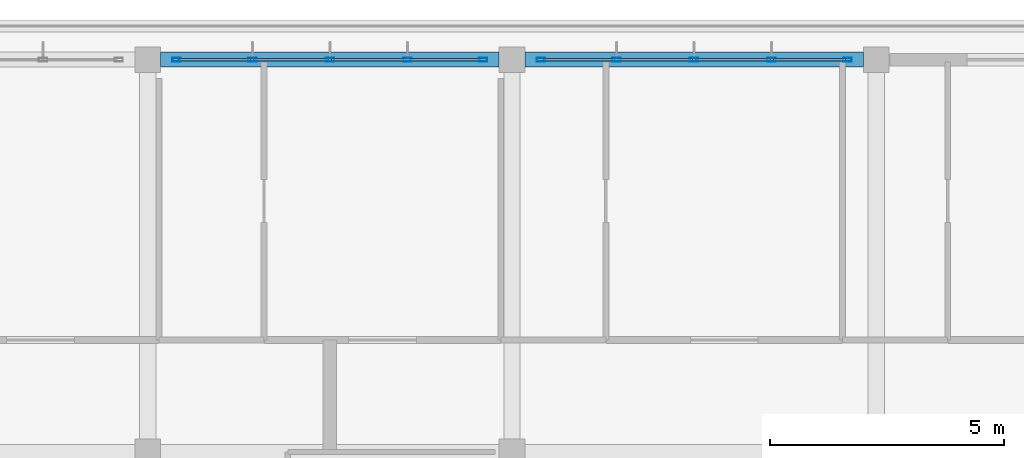
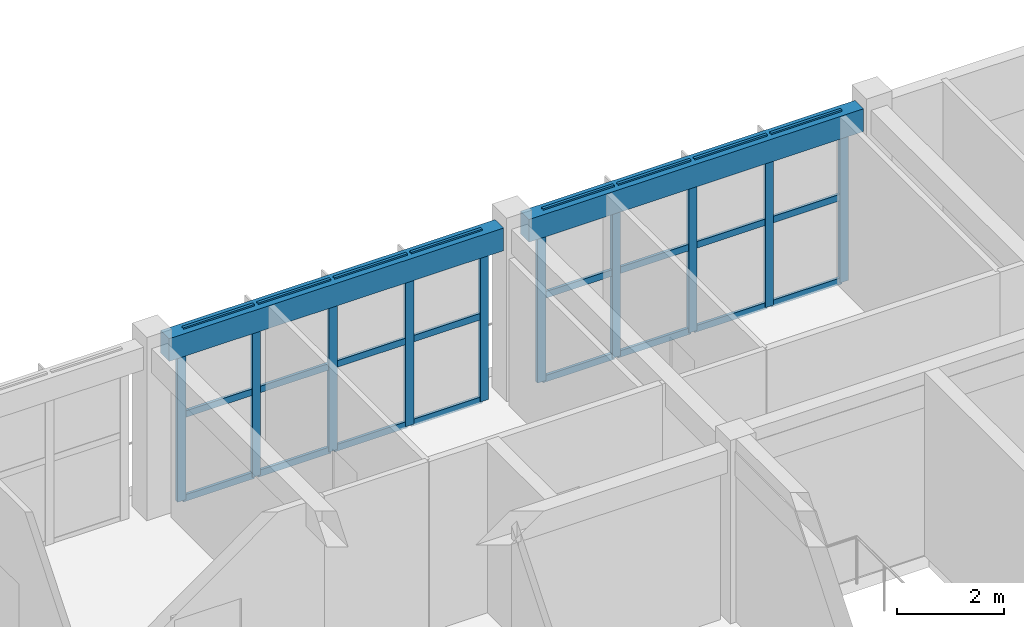
# One storey, part 17 of 33: 34 members, 2 beams, 2 elements without a shape of their own.
"""IFC4 building model written with IfcOpenShell, lengths in metres."""

from ifc_helpers import new_model, si_unit, direction, frame, origin, origin_2d, place, context, subcontext, project, spatial, rectangle, hollow_rectangle, extrude, material, layer, layer_set, material_profile, profile_set, type_object, element, aggregate, save


model = new_model("IFC4")

# Units and contexts
model_context = context("Model", 3, precision=1e-05, world=origin(), true_north=direction((0.0, 1.0)))
body_context = subcontext(model_context, "Body", "Model", "MODEL_VIEW")
ifc_project = project(units=[si_unit("LENGTHUNIT", "METRE"), si_unit("AREAUNIT", "SQUARE_METRE"), si_unit("VOLUMEUNIT", "CUBIC_METRE"), si_unit("PLANEANGLEUNIT", "RADIAN"), si_unit("MASSUNIT", "GRAM", prefix="KILO")], contexts=[model_context])

# Site, building, storey
site_placement = place(None, origin())
site = spatial("IfcSite", under=ifc_project, at=site_placement, CompositionType="ELEMENT")
building_placement = place(site_placement, origin())
building = spatial("IfcBuilding", under=site, at=building_placement, Name="Zizhar Promenade General Hospital", CompositionType="ELEMENT")
storey_placement = place(building_placement, frame((0.0, 0.0, 39.0)))
storey = spatial("IfcBuildingStorey", under=building, at=storey_placement, Name="L09", CompositionType="ELEMENT", Elevation=39.0)

# Beams
ifc_material_1 = material(Name="Concrete C35/45", Category="concrete")
ifc_material_profile_1 = material_profile(ifc_material_1, rectangle(XDim=0.320068359375, YDim=0.52001953125, at=origin_2d()))
ifc_profile_set_1 = profile_set([ifc_material_profile_1], Name="Concrete C35/45")
beam_type = type_object("IfcBeamType", Name="BM-RC-320x520", PredefinedType="LINTEL", material=ifc_profile_set_1)
for number, where, z_axis, x_axis, name in (
    (1, (70.47509765625, 25.199951171875, 3.64990234375), (1.0, 0.0, 0.0), (0.0, 1.0, 0.0), "Grid Beam X L09 (9-3)"),
    (2, (78.27490234375, 25.199951171875, 3.64990234375), (1.0, 0.0, 0.0), (0.0, 1.0, 0.0), "Grid Beam X L09 (10-3)"),
):
    element("IfcBeam", number, at=place(storey_placement, frame(where, z_axis=z_axis, x_axis=x_axis)), inside=storey, type_object=beam_type, Name=name, PredefinedType="LINTEL", context=body_context, shape_type="SweptSolid", body=[
        extrude(rectangle(XDim=0.320068359375, YDim=0.52001953125, at=origin_2d()), origin(), (0.0, 0.0, 1.0), 7.25),
    ])

# Curtain wall, members
ifc_material_2 = material(Name="Anodised aluminium 6063-T6 and low-E glass", Category="aluminium")
ifc_layer = layer(ifc_material_2, 0.159912109375)
ifc_layer_set = layer_set([ifc_layer], Name="Anodised aluminium 6063-T6 and low-E glass")
curtain_wall_type = type_object("IfcCurtainWallType", Name="CW-WARD-RIB", PredefinedType="NOTDEFINED", material=ifc_layer_set)
curtain_wall_1_placement = place(storey_placement, origin())
curtain_wall_1 = element("IfcCurtainWall", 3, at=curtain_wall_1_placement, inside=storey, type_object=curtain_wall_type, Name="Ward Ribbon Curtain Wall L09-8-2", PredefinedType="NOTDEFINED")
ifc_material_3 = material(Name="Anodised aluminium 6063-T6", Category="aluminium")
ifc_material_profile_2 = material_profile(ifc_material_3, hollow_rectangle(XDim=0.080078125, YDim=0.179931640625, WallThickness=0.0048828125, at=origin_2d()))
ifc_profile_set_2 = profile_set([ifc_material_profile_2], Name="Anodised aluminium 6063-T6")
member_type_1 = type_object("IfcMemberType", Name="CWM-ALU-180x80", PredefinedType="MULLION", material=ifc_profile_set_2)
member_1_placement = place(storey_placement, frame((70.820068359375, 25.199951171875, 0.0), z_axis=(0.0, 0.0, 1.0), x_axis=(0.0, 1.0, 0.0)))
member_1 = element("IfcMember", 4, at=member_1_placement, type_object=member_type_1, Name="CW-13 mullion 1", PredefinedType="MULLION", context=body_context, shape_type="SweptSolid", body=[
    extrude(hollow_rectangle(XDim=0.080078125, YDim=0.179931640625, WallThickness=0.0048828125, at=origin_2d()), origin(), (0.0, 0.0, 1.0), 3.89990234375),
])
member_2_placement = place(storey_placement, frame((72.43994140625, 25.199951171875, 0.0), z_axis=(0.0, 0.0, 1.0), x_axis=(0.0, 1.0, 0.0)))
member_2 = element("IfcMember", 5, at=member_2_placement, type_object=member_type_1, Name="CW-13 mullion 2", PredefinedType="MULLION", context=body_context, shape_type="SweptSolid", body=[
    extrude(hollow_rectangle(XDim=0.080078125, YDim=0.179931640625, WallThickness=0.0048828125, at=origin_2d()), origin(), (0.0, 0.0, 1.0), 3.89990234375),
])
member_3_placement = place(storey_placement, frame((74.10009765625, 25.199951171875, 0.0), z_axis=(0.0, 0.0, 1.0), x_axis=(0.0, 1.0, 0.0)))
member_3 = element("IfcMember", 6, at=member_3_placement, type_object=member_type_1, Name="CW-13 mullion 3", PredefinedType="MULLION", context=body_context, shape_type="SweptSolid", body=[
    extrude(hollow_rectangle(XDim=0.080078125, YDim=0.179931640625, WallThickness=0.0048828125, at=origin_2d()), origin(), (0.0, 0.0, 1.0), 3.89990234375),
])
member_4_placement = place(storey_placement, frame((75.760009765625, 25.199951171875, 0.0), z_axis=(0.0, 0.0, 1.0), x_axis=(0.0, 1.0, 0.0)))
member_4 = element("IfcMember", 7, at=member_4_placement, type_object=member_type_1, Name="CW-13 mullion 4", PredefinedType="MULLION", context=body_context, shape_type="SweptSolid", body=[
    extrude(hollow_rectangle(XDim=0.080078125, YDim=0.179931640625, WallThickness=0.0048828125, at=origin_2d()), origin(), (0.0, 0.0, 1.0), 3.89990234375),
])
member_5_placement = place(storey_placement, frame((77.3798828125, 25.199951171875, 0.0), z_axis=(0.0, 0.0, 1.0), x_axis=(0.0, 1.0, 0.0)))
member_5 = element("IfcMember", 8, at=member_5_placement, type_object=member_type_1, Name="CW-13 mullion 5", PredefinedType="MULLION", context=body_context, shape_type="SweptSolid", body=[
    extrude(hollow_rectangle(XDim=0.080078125, YDim=0.179931640625, WallThickness=0.0048828125, at=origin_2d()), origin(), (0.0, 0.0, 1.0), 3.89990234375),
])

curtain_wall_2_placement = place(storey_placement, origin())
curtain_wall_2 = element("IfcCurtainWall", 9, at=curtain_wall_2_placement, inside=storey, type_object=curtain_wall_type, Name="Ward Ribbon Curtain Wall L09-8-3", PredefinedType="NOTDEFINED")
member_6_placement = place(storey_placement, frame((78.6201171875, 25.199951171875, 0.0), z_axis=(0.0, 0.0, 1.0), x_axis=(0.0, 1.0, 0.0)))
member_6 = element("IfcMember", 10, at=member_6_placement, type_object=member_type_1, Name="CW-13 mullion 1", PredefinedType="MULLION", context=body_context, shape_type="SweptSolid", body=[
    extrude(hollow_rectangle(XDim=0.080078125, YDim=0.179931640625, WallThickness=0.0048828125, at=origin_2d()), origin(), (0.0, 0.0, 1.0), 3.89990234375),
])
member_7_placement = place(storey_placement, frame((80.239990234375, 25.199951171875, 0.0), z_axis=(0.0, 0.0, 1.0), x_axis=(0.0, 1.0, 0.0)))
member_7 = element("IfcMember", 11, at=member_7_placement, type_object=member_type_1, Name="CW-13 mullion 2", PredefinedType="MULLION", context=body_context, shape_type="SweptSolid", body=[
    extrude(hollow_rectangle(XDim=0.080078125, YDim=0.179931640625, WallThickness=0.0048828125, at=origin_2d()), origin(), (0.0, 0.0, 1.0), 3.89990234375),
])
member_8_placement = place(storey_placement, frame((81.89990234375, 25.199951171875, 0.0), z_axis=(0.0, 0.0, 1.0), x_axis=(0.0, 1.0, 0.0)))
member_8 = element("IfcMember", 12, at=member_8_placement, type_object=member_type_1, Name="CW-13 mullion 3", PredefinedType="MULLION", context=body_context, shape_type="SweptSolid", body=[
    extrude(hollow_rectangle(XDim=0.080078125, YDim=0.179931640625, WallThickness=0.0048828125, at=origin_2d()), origin(), (0.0, 0.0, 1.0), 3.89990234375),
])
member_9_placement = place(storey_placement, frame((83.56005859375, 25.199951171875, 0.0), z_axis=(0.0, 0.0, 1.0), x_axis=(0.0, 1.0, 0.0)))
member_9 = element("IfcMember", 13, at=member_9_placement, type_object=member_type_1, Name="CW-13 mullion 4", PredefinedType="MULLION", context=body_context, shape_type="SweptSolid", body=[
    extrude(hollow_rectangle(XDim=0.080078125, YDim=0.179931640625, WallThickness=0.0048828125, at=origin_2d()), origin(), (0.0, 0.0, 1.0), 3.89990234375),
])
member_10_placement = place(storey_placement, frame((85.179931640625, 25.199951171875, 0.0), z_axis=(0.0, 0.0, 1.0), x_axis=(0.0, 1.0, 0.0)))
member_10 = element("IfcMember", 14, at=member_10_placement, type_object=member_type_1, Name="CW-13 mullion 5", PredefinedType="MULLION", context=body_context, shape_type="SweptSolid", body=[
    extrude(hollow_rectangle(XDim=0.080078125, YDim=0.179931640625, WallThickness=0.0048828125, at=origin_2d()), origin(), (0.0, 0.0, 1.0), 3.89990234375),
])

# Member
ifc_material_4 = material(Name="Anodised aluminium 6063-T6", Category="aluminium")
ifc_material_profile_3 = material_profile(ifc_material_4, hollow_rectangle(XDim=0.06005859375, YDim=0.14990234375, WallThickness=0.00390625, at=origin_2d()))
ifc_profile_set_3 = profile_set([ifc_material_profile_3], Name="Anodised aluminium 6063-T6")
member_type_2 = type_object("IfcMemberType", Name="CWT-ALU-150x60", PredefinedType="USERDEFINED", material=ifc_profile_set_3)
member_11_placement = place(storey_placement, frame((70.860107421875, 25.199951171875, 0.030029296875), z_axis=(1.0, 0.0, 0.0), x_axis=(0.0, 1.0, 0.0)))
member_11 = element("IfcMember", 15, at=member_11_placement, type_object=member_type_2, Name="CW-13 transom 1.1", ObjectType="TRANSOM", PredefinedType="USERDEFINED", context=body_context, shape_type="SweptSolid", body=[
    extrude(hollow_rectangle(XDim=0.06005859375, YDim=0.14990234375, WallThickness=0.00390625, at=origin_2d()), origin(), (0.0, 0.0, 1.0), 1.539794921875),
])

member_12_placement = place(storey_placement, frame((70.860107421875, 25.199951171875, 1.949951171875), z_axis=(1.0, 0.0, 0.0), x_axis=(0.0, 1.0, 0.0)))
member_12 = element("IfcMember", 16, at=member_12_placement, type_object=member_type_2, Name="CW-13 transom 1.2", ObjectType="TRANSOM", PredefinedType="USERDEFINED", context=body_context, shape_type="SweptSolid", body=[
    extrude(hollow_rectangle(XDim=0.06005859375, YDim=0.14990234375, WallThickness=0.00390625, at=origin_2d()), origin(), (0.0, 0.0, 1.0), 1.539794921875),
])

member_13_placement = place(storey_placement, frame((70.860107421875, 25.199951171875, 3.8701171875), z_axis=(1.0, 0.0, 0.0), x_axis=(0.0, 1.0, 0.0)))
member_13 = element("IfcMember", 17, at=member_13_placement, type_object=member_type_2, Name="CW-13 transom 1.3", ObjectType="TRANSOM", PredefinedType="USERDEFINED", context=body_context, shape_type="SweptSolid", body=[
    extrude(hollow_rectangle(XDim=0.06005859375, YDim=0.14990234375, WallThickness=0.00390625, at=origin_2d()), origin(), (0.0, 0.0, 1.0), 1.539794921875),
])

member_14_placement = place(storey_placement, frame((72.47998046875, 25.199951171875, 0.030029296875), z_axis=(1.0, 0.0, 0.0), x_axis=(0.0, 1.0, 0.0)))
member_14 = element("IfcMember", 18, at=member_14_placement, type_object=member_type_2, Name="CW-13 transom 2.1", ObjectType="TRANSOM", PredefinedType="USERDEFINED", context=body_context, shape_type="SweptSolid", body=[
    extrude(hollow_rectangle(XDim=0.06005859375, YDim=0.14990234375, WallThickness=0.00390625, at=origin_2d()), origin(), (0.0, 0.0, 1.0), 1.580078125),
])

member_15_placement = place(storey_placement, frame((72.47998046875, 25.199951171875, 1.949951171875), z_axis=(1.0, 0.0, 0.0), x_axis=(0.0, 1.0, 0.0)))
member_15 = element("IfcMember", 19, at=member_15_placement, type_object=member_type_2, Name="CW-13 transom 2.2", ObjectType="TRANSOM", PredefinedType="USERDEFINED", context=body_context, shape_type="SweptSolid", body=[
    extrude(hollow_rectangle(XDim=0.06005859375, YDim=0.14990234375, WallThickness=0.00390625, at=origin_2d()), origin(), (0.0, 0.0, 1.0), 1.580078125),
])

member_16_placement = place(storey_placement, frame((72.47998046875, 25.199951171875, 3.8701171875), z_axis=(1.0, 0.0, 0.0), x_axis=(0.0, 1.0, 0.0)))
member_16 = element("IfcMember", 20, at=member_16_placement, type_object=member_type_2, Name="CW-13 transom 2.3", ObjectType="TRANSOM", PredefinedType="USERDEFINED", context=body_context, shape_type="SweptSolid", body=[
    extrude(hollow_rectangle(XDim=0.06005859375, YDim=0.14990234375, WallThickness=0.00390625, at=origin_2d()), origin(), (0.0, 0.0, 1.0), 1.580078125),
])

member_17_placement = place(storey_placement, frame((74.139892578125, 25.199951171875, 0.030029296875), z_axis=(1.0, 0.0, 0.0), x_axis=(0.0, 1.0, 0.0)))
member_17 = element("IfcMember", 21, at=member_17_placement, type_object=member_type_2, Name="CW-13 transom 3.1", ObjectType="TRANSOM", PredefinedType="USERDEFINED", context=body_context, shape_type="SweptSolid", body=[
    extrude(hollow_rectangle(XDim=0.06005859375, YDim=0.14990234375, WallThickness=0.00390625, at=origin_2d()), origin(), (0.0, 0.0, 1.0), 1.580078125),
])

member_18_placement = place(storey_placement, frame((74.139892578125, 25.199951171875, 1.949951171875), z_axis=(1.0, 0.0, 0.0), x_axis=(0.0, 1.0, 0.0)))
member_18 = element("IfcMember", 22, at=member_18_placement, type_object=member_type_2, Name="CW-13 transom 3.2", ObjectType="TRANSOM", PredefinedType="USERDEFINED", context=body_context, shape_type="SweptSolid", body=[
    extrude(hollow_rectangle(XDim=0.06005859375, YDim=0.14990234375, WallThickness=0.00390625, at=origin_2d()), origin(), (0.0, 0.0, 1.0), 1.580078125),
])

member_19_placement = place(storey_placement, frame((74.139892578125, 25.199951171875, 3.8701171875), z_axis=(1.0, 0.0, 0.0), x_axis=(0.0, 1.0, 0.0)))
member_19 = element("IfcMember", 23, at=member_19_placement, type_object=member_type_2, Name="CW-13 transom 3.3", ObjectType="TRANSOM", PredefinedType="USERDEFINED", context=body_context, shape_type="SweptSolid", body=[
    extrude(hollow_rectangle(XDim=0.06005859375, YDim=0.14990234375, WallThickness=0.00390625, at=origin_2d()), origin(), (0.0, 0.0, 1.0), 1.580078125),
])

member_20_placement = place(storey_placement, frame((75.800048828125, 25.199951171875, 0.030029296875), z_axis=(1.0, 0.0, 0.0), x_axis=(0.0, 1.0, 0.0)))
member_20 = element("IfcMember", 24, at=member_20_placement, type_object=member_type_2, Name="CW-13 transom 4.1", ObjectType="TRANSOM", PredefinedType="USERDEFINED", context=body_context, shape_type="SweptSolid", body=[
    extrude(hollow_rectangle(XDim=0.06005859375, YDim=0.14990234375, WallThickness=0.00390625, at=origin_2d()), origin(), (0.0, 0.0, 1.0), 1.5400390625),
])

member_21_placement = place(storey_placement, frame((75.800048828125, 25.199951171875, 1.949951171875), z_axis=(1.0, 0.0, 0.0), x_axis=(0.0, 1.0, 0.0)))
member_21 = element("IfcMember", 25, at=member_21_placement, type_object=member_type_2, Name="CW-13 transom 4.2", ObjectType="TRANSOM", PredefinedType="USERDEFINED", context=body_context, shape_type="SweptSolid", body=[
    extrude(hollow_rectangle(XDim=0.06005859375, YDim=0.14990234375, WallThickness=0.00390625, at=origin_2d()), origin(), (0.0, 0.0, 1.0), 1.5400390625),
])

member_22_placement = place(storey_placement, frame((75.800048828125, 25.199951171875, 3.8701171875), z_axis=(1.0, 0.0, 0.0), x_axis=(0.0, 1.0, 0.0)))
member_22 = element("IfcMember", 26, at=member_22_placement, type_object=member_type_2, Name="CW-13 transom 4.3", ObjectType="TRANSOM", PredefinedType="USERDEFINED", context=body_context, shape_type="SweptSolid", body=[
    extrude(hollow_rectangle(XDim=0.06005859375, YDim=0.14990234375, WallThickness=0.00390625, at=origin_2d()), origin(), (0.0, 0.0, 1.0), 1.5400390625),
])

aggregate(curtain_wall_1, [member_1, member_2, member_3, member_4, member_5, member_11, member_12, member_13, member_14, member_15, member_16, member_17, member_18, member_19, member_20, member_21, member_22])

member_23_placement = place(storey_placement, frame((78.659912109375, 25.199951171875, 0.030029296875), z_axis=(1.0, 0.0, 0.0), x_axis=(0.0, 1.0, 0.0)))
member_23 = element("IfcMember", 27, at=member_23_placement, type_object=member_type_2, Name="CW-13 transom 1.1", ObjectType="TRANSOM", PredefinedType="USERDEFINED", context=body_context, shape_type="SweptSolid", body=[
    extrude(hollow_rectangle(XDim=0.06005859375, YDim=0.14990234375, WallThickness=0.00390625, at=origin_2d()), origin(), (0.0, 0.0, 1.0), 1.5400390625),
])

member_24_placement = place(storey_placement, frame((78.659912109375, 25.199951171875, 1.949951171875), z_axis=(1.0, 0.0, 0.0), x_axis=(0.0, 1.0, 0.0)))
member_24 = element("IfcMember", 28, at=member_24_placement, type_object=member_type_2, Name="CW-13 transom 1.2", ObjectType="TRANSOM", PredefinedType="USERDEFINED", context=body_context, shape_type="SweptSolid", body=[
    extrude(hollow_rectangle(XDim=0.06005859375, YDim=0.14990234375, WallThickness=0.00390625, at=origin_2d()), origin(), (0.0, 0.0, 1.0), 1.5400390625),
])

member_25_placement = place(storey_placement, frame((78.659912109375, 25.199951171875, 3.8701171875), z_axis=(1.0, 0.0, 0.0), x_axis=(0.0, 1.0, 0.0)))
member_25 = element("IfcMember", 29, at=member_25_placement, type_object=member_type_2, Name="CW-13 transom 1.3", ObjectType="TRANSOM", PredefinedType="USERDEFINED", context=body_context, shape_type="SweptSolid", body=[
    extrude(hollow_rectangle(XDim=0.06005859375, YDim=0.14990234375, WallThickness=0.00390625, at=origin_2d()), origin(), (0.0, 0.0, 1.0), 1.5400390625),
])

member_26_placement = place(storey_placement, frame((80.280029296875, 25.199951171875, 0.030029296875), z_axis=(1.0, 0.0, 0.0), x_axis=(0.0, 1.0, 0.0)))
member_26 = element("IfcMember", 30, at=member_26_placement, type_object=member_type_2, Name="CW-13 transom 2.1", ObjectType="TRANSOM", PredefinedType="USERDEFINED", context=body_context, shape_type="SweptSolid", body=[
    extrude(hollow_rectangle(XDim=0.06005859375, YDim=0.14990234375, WallThickness=0.00390625, at=origin_2d()), origin(), (0.0, 0.0, 1.0), 1.580078125),
])

member_27_placement = place(storey_placement, frame((80.280029296875, 25.199951171875, 1.949951171875), z_axis=(1.0, 0.0, 0.0), x_axis=(0.0, 1.0, 0.0)))
member_27 = element("IfcMember", 31, at=member_27_placement, type_object=member_type_2, Name="CW-13 transom 2.2", ObjectType="TRANSOM", PredefinedType="USERDEFINED", context=body_context, shape_type="SweptSolid", body=[
    extrude(hollow_rectangle(XDim=0.06005859375, YDim=0.14990234375, WallThickness=0.00390625, at=origin_2d()), origin(), (0.0, 0.0, 1.0), 1.580078125),
])

member_28_placement = place(storey_placement, frame((80.280029296875, 25.199951171875, 3.8701171875), z_axis=(1.0, 0.0, 0.0), x_axis=(0.0, 1.0, 0.0)))
member_28 = element("IfcMember", 32, at=member_28_placement, type_object=member_type_2, Name="CW-13 transom 2.3", ObjectType="TRANSOM", PredefinedType="USERDEFINED", context=body_context, shape_type="SweptSolid", body=[
    extrude(hollow_rectangle(XDim=0.06005859375, YDim=0.14990234375, WallThickness=0.00390625, at=origin_2d()), origin(), (0.0, 0.0, 1.0), 1.580078125),
])

member_29_placement = place(storey_placement, frame((81.93994140625, 25.199951171875, 0.030029296875), z_axis=(1.0, 0.0, 0.0), x_axis=(0.0, 1.0, 0.0)))
member_29 = element("IfcMember", 33, at=member_29_placement, type_object=member_type_2, Name="CW-13 transom 3.1", ObjectType="TRANSOM", PredefinedType="USERDEFINED", context=body_context, shape_type="SweptSolid", body=[
    extrude(hollow_rectangle(XDim=0.06005859375, YDim=0.14990234375, WallThickness=0.00390625, at=origin_2d()), origin(), (0.0, 0.0, 1.0), 1.580078125),
])

member_30_placement = place(storey_placement, frame((81.93994140625, 25.199951171875, 1.949951171875), z_axis=(1.0, 0.0, 0.0), x_axis=(0.0, 1.0, 0.0)))
member_30 = element("IfcMember", 34, at=member_30_placement, type_object=member_type_2, Name="CW-13 transom 3.2", ObjectType="TRANSOM", PredefinedType="USERDEFINED", context=body_context, shape_type="SweptSolid", body=[
    extrude(hollow_rectangle(XDim=0.06005859375, YDim=0.14990234375, WallThickness=0.00390625, at=origin_2d()), origin(), (0.0, 0.0, 1.0), 1.580078125),
])

member_31_placement = place(storey_placement, frame((81.93994140625, 25.199951171875, 3.8701171875), z_axis=(1.0, 0.0, 0.0), x_axis=(0.0, 1.0, 0.0)))
member_31 = element("IfcMember", 35, at=member_31_placement, type_object=member_type_2, Name="CW-13 transom 3.3", ObjectType="TRANSOM", PredefinedType="USERDEFINED", context=body_context, shape_type="SweptSolid", body=[
    extrude(hollow_rectangle(XDim=0.06005859375, YDim=0.14990234375, WallThickness=0.00390625, at=origin_2d()), origin(), (0.0, 0.0, 1.0), 1.580078125),
])

member_32_placement = place(storey_placement, frame((83.60009765625, 25.199951171875, 0.030029296875), z_axis=(1.0, 0.0, 0.0), x_axis=(0.0, 1.0, 0.0)))
member_32 = element("IfcMember", 36, at=member_32_placement, type_object=member_type_2, Name="CW-13 transom 4.1", ObjectType="TRANSOM", PredefinedType="USERDEFINED", context=body_context, shape_type="SweptSolid", body=[
    extrude(hollow_rectangle(XDim=0.06005859375, YDim=0.14990234375, WallThickness=0.00390625, at=origin_2d()), origin(), (0.0, 0.0, 1.0), 1.539794921875),
])

member_33_placement = place(storey_placement, frame((83.60009765625, 25.199951171875, 1.949951171875), z_axis=(1.0, 0.0, 0.0), x_axis=(0.0, 1.0, 0.0)))
member_33 = element("IfcMember", 37, at=member_33_placement, type_object=member_type_2, Name="CW-13 transom 4.2", ObjectType="TRANSOM", PredefinedType="USERDEFINED", context=body_context, shape_type="SweptSolid", body=[
    extrude(hollow_rectangle(XDim=0.06005859375, YDim=0.14990234375, WallThickness=0.00390625, at=origin_2d()), origin(), (0.0, 0.0, 1.0), 1.539794921875),
])

member_34_placement = place(storey_placement, frame((83.60009765625, 25.199951171875, 3.8701171875), z_axis=(1.0, 0.0, 0.0), x_axis=(0.0, 1.0, 0.0)))
member_34 = element("IfcMember", 38, at=member_34_placement, type_object=member_type_2, Name="CW-13 transom 4.3", ObjectType="TRANSOM", PredefinedType="USERDEFINED", context=body_context, shape_type="SweptSolid", body=[
    extrude(hollow_rectangle(XDim=0.06005859375, YDim=0.14990234375, WallThickness=0.00390625, at=origin_2d()), origin(), (0.0, 0.0, 1.0), 1.539794921875),
])

aggregate(curtain_wall_2, [member_6, member_7, member_8, member_9, member_10, member_23, member_24, member_25, member_26, member_27, member_28, member_29, member_30, member_31, member_32, member_33, member_34])

save(model, "model.ifc")
